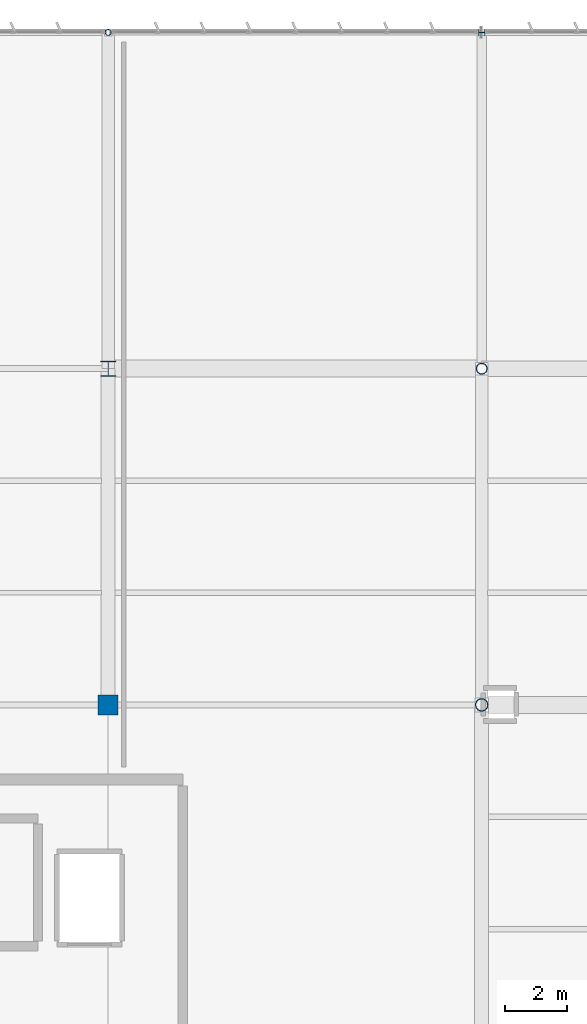
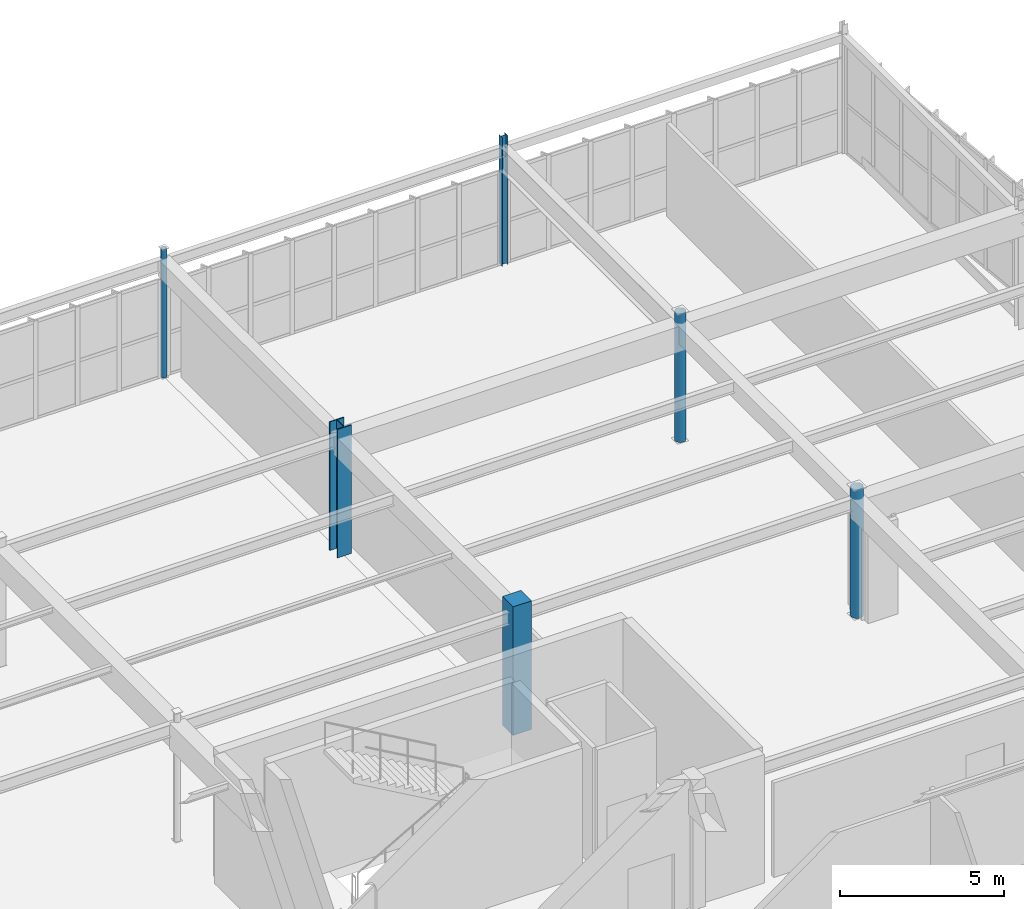
# One storey, part 52 of 186: 6 columns.
"""IFC4 building model written with IfcOpenShell, lengths in metres."""

from ifc_helpers import new_model, si_unit, direction, frame, origin, origin_2d, place, context, subcontext, project, spatial, rectangle, hollow_circle, i_section, extrude, material, material_profile, profile_set, type_object, element, save


model = new_model("IFC4")

# Units and contexts
model_context = context("Model", 3, precision=1e-05, world=origin(), true_north=direction((0.0, 1.0)))
body_context = subcontext(model_context, "Body", "Model", "MODEL_VIEW")
ifc_project = project(units=[si_unit("LENGTHUNIT", "METRE"), si_unit("AREAUNIT", "SQUARE_METRE"), si_unit("VOLUMEUNIT", "CUBIC_METRE"), si_unit("PLANEANGLEUNIT", "RADIAN"), si_unit("MASSUNIT", "GRAM", prefix="KILO")], contexts=[model_context])

# Site, building, storey
site_placement = place(None, origin())
site = spatial("IfcSite", under=ifc_project, at=site_placement, CompositionType="ELEMENT")
building_placement = place(site_placement, origin())
building = spatial("IfcBuilding", under=site, at=building_placement, Name="Tarnwether General Hospital", CompositionType="ELEMENT")
storey_placement = place(building_placement, frame((0.0, 0.0, 9.60009765625)))
storey = spatial("IfcBuildingStorey", under=building, at=storey_placement, Name="L02", CompositionType="ELEMENT", Elevation=9.60009765625)

# Columns
ifc_material_1 = material(Name="Steel Grade 350 (350 MPa)", Category="steel")
ifc_material_profile_1 = material_profile(ifc_material_1, i_section(OverallWidth=0.5, OverallDepth=0.5, WebThickness=0.02197265625, FlangeThickness=0.035888671875, at=origin_2d()), Name="500WC380")
ifc_profile_set_1 = profile_set([ifc_material_profile_1], Name="Steel Grade 350 (350 MPa)")
column_type_1 = type_object("IfcColumnType", Name="COL-01", PredefinedType="COLUMN", material=ifc_profile_set_1)
column_1_placement = place(storey_placement, frame((168.0, 115.199951171875, 0.0), z_axis=(0.0, 0.0, 1.0), x_axis=(1.0, 0.0, 0.0)))
element("IfcColumn", 1, at=column_1_placement, inside=storey, type_object=column_type_1, Name="Column COLG-L02-16800_11520", PredefinedType="COLUMN", context=body_context, shape_type="SweptSolid", body=[
    extrude(i_section(OverallWidth=0.5, OverallDepth=0.5, WebThickness=0.02197265625, FlangeThickness=0.035888671875, at=origin_2d()), origin(), (0.0, 0.0, 1.0), 4.7998046875),
])
ifc_material_2 = material(Name="Steel Grade C350L0 (350 MPa)", Category="steel")
ifc_material_profile_2 = material_profile(ifc_material_2, hollow_circle(Radius=0.203125, WallThickness=0.01611328125, at=origin_2d()), Name="CHS406.4x16.0")
ifc_profile_set_2 = profile_set([ifc_material_profile_2], Name="Steel Grade C350L0 (350 MPa)")
column_type_2 = type_object("IfcColumnType", Name="COL-10", PredefinedType="COLUMN", material=ifc_profile_set_2)
column_2_placement = place(storey_placement, frame((180.0, 104.39990234375, 0.0), z_axis=(0.0, 0.0, 1.0), x_axis=(0.0, 1.0, 0.0)))
element("IfcColumn", 2, at=column_2_placement, inside=storey, type_object=column_type_2, Name="Column COLG-L02-18000_10440", PredefinedType="COLUMN", context=body_context, shape_type="SweptSolid", body=[
    extrude(hollow_circle(Radius=0.203125, WallThickness=0.01611328125, at=origin_2d()), origin(), (0.0, 0.0, 1.0), 4.7998046875),
])
ifc_material_3 = material(Name="Steel Grade C350L0 (350 MPa)", Category="steel")
ifc_material_profile_3 = material_profile(ifc_material_3, hollow_circle(Radius=0.177734375, WallThickness=0.0126953125, at=origin_2d()), Name="CHS355.6x12.7")
ifc_profile_set_3 = profile_set([ifc_material_profile_3], Name="Steel Grade C350L0 (350 MPa)")
column_type_3 = type_object("IfcColumnType", Name="COL-11", PredefinedType="COLUMN", material=ifc_profile_set_3)
column_3_placement = place(storey_placement, frame((180.0, 115.199951171875, 0.0), z_axis=(0.0, 0.0, 1.0), x_axis=(0.0, 1.0, 0.0)))
element("IfcColumn", 3, at=column_3_placement, inside=storey, type_object=column_type_3, Name="Column COLG-L02-18000_11520", PredefinedType="COLUMN", context=body_context, shape_type="SweptSolid", body=[
    extrude(hollow_circle(Radius=0.177734375, WallThickness=0.0126953125, at=origin_2d()), origin(), (0.0, 0.0, 1.0), 4.7998046875),
])
ifc_material_4 = material(Name="Steel Grade 350 (350 MPa)", Category="steel")
ifc_material_profile_4 = material_profile(ifc_material_4, i_section(OverallWidth=0.202880859375, OverallDepth=0.202880859375, WebThickness=0.00732421875, FlangeThickness=0.010986328125, at=origin_2d()), Name="200UC46.2")
ifc_profile_set_4 = profile_set([ifc_material_profile_4], Name="Steel Grade 350 (350 MPa)")
column_type_4 = type_object("IfcColumnType", Name="COL-27", PredefinedType="COLUMN", material=ifc_profile_set_4)
column_4_placement = place(storey_placement, frame((180.0, 126.0, 0.0), z_axis=(0.0, 0.0, 1.0), x_axis=(0.0, 1.0, 0.0)))
element("IfcColumn", 4, at=column_4_placement, inside=storey, type_object=column_type_4, Name="Column COLG-L02-18000_12600", PredefinedType="COLUMN", context=body_context, shape_type="SweptSolid", body=[
    extrude(i_section(OverallWidth=0.202880859375, OverallDepth=0.202880859375, WebThickness=0.00732421875, FlangeThickness=0.010986328125, at=origin_2d()), origin(), (0.0, 0.0, 1.0), 4.7998046875),
])
ifc_material_5 = material(Name="Steel Grade C350L0 (350 MPa)", Category="steel")
ifc_material_profile_5 = material_profile(ifc_material_5, hollow_circle(Radius=0.096923828125, WallThickness=0.008056640625, at=origin_2d()), Name="CHS193.7x8.0")
ifc_profile_set_5 = profile_set([ifc_material_profile_5], Name="Steel Grade C350L0 (350 MPa)")
column_type_5 = type_object("IfcColumnType", Name="COL-29", PredefinedType="COLUMN", material=ifc_profile_set_5)
column_5_placement = place(storey_placement, frame((168.0, 126.0, 0.0), z_axis=(0.0, 0.0, 1.0), x_axis=(1.0, 0.0, 0.0)))
element("IfcColumn", 5, at=column_5_placement, inside=storey, type_object=column_type_5, Name="Column COLG-L02-16800_12600", PredefinedType="COLUMN", context=body_context, shape_type="SweptSolid", body=[
    extrude(hollow_circle(Radius=0.096923828125, WallThickness=0.008056640625, at=origin_2d()), origin(), (0.0, 0.0, 1.0), 4.7998046875),
])
ifc_material_6 = material(Name="Concrete 50 MPa", Category="concrete")
ifc_material_profile_6 = material_profile(ifc_material_6, rectangle(XDim=0.64990234375, YDim=0.64990234375, at=origin_2d()), Name="RC-COL-650x650")
ifc_profile_set_6 = profile_set([ifc_material_profile_6], Name="Concrete 50 MPa")
column_type_6 = type_object("IfcColumnType", Name="COL-35", PredefinedType="COLUMN", material=ifc_profile_set_6)
column_6_placement = place(storey_placement, frame((168.0, 104.39990234375, 0.0), z_axis=(0.0, 0.0, 1.0), x_axis=(1.0, 0.0, 0.0)))
element("IfcColumn", 6, at=column_6_placement, inside=storey, type_object=column_type_6, Name="Column COLG-L02-16800_10440", PredefinedType="COLUMN", context=body_context, shape_type="SweptSolid", body=[
    extrude(rectangle(XDim=0.64990234375, YDim=0.64990234375, at=origin_2d()), origin(), (0.0, 0.0, 1.0), 4.7998046875),
])

save(model, "model.ifc")
